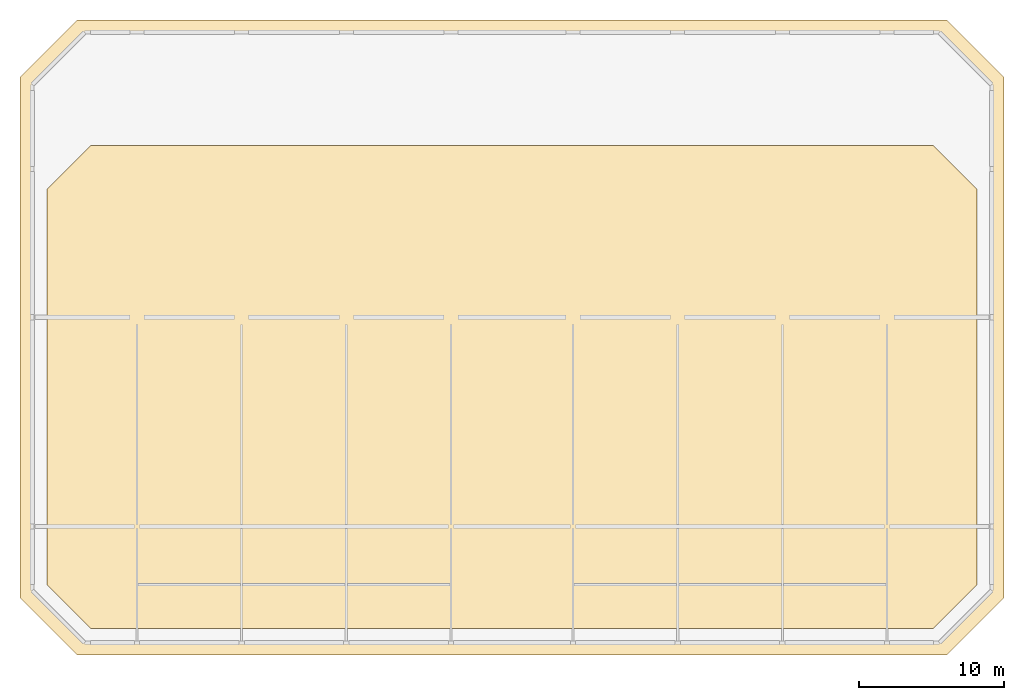
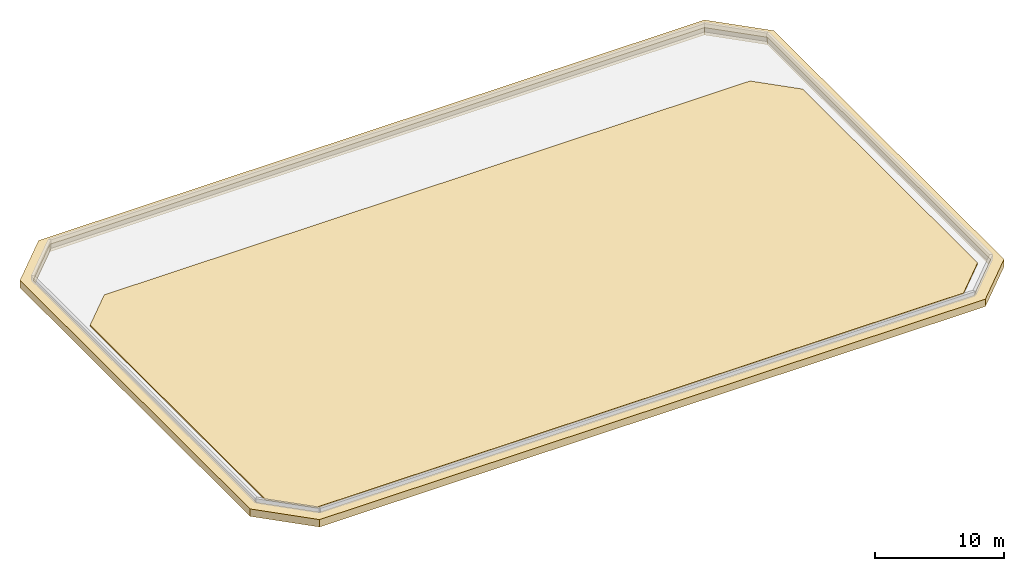
# One storey, part 3 of 3: 2 coverings.
"""IFC4 building model written with IfcOpenShell, lengths in metres."""

import ifcopenshell
import ifcopenshell.guid

model = None  # the IFC model being written
_history = None  # IfcOwnerHistory: only IFC2X3 demands one
_inside = {}  # id of a spatial element -> (the spatial element, [elements in it])
_under = {}  # id of a project, library or spatial element -> (it, [spatial elements below it])
_declared = {}  # id of a project -> (the project, [libraries it declares])
_typed = {}  # id of a type object -> (the type object, [elements of that type])
_made_of = {}  # id of a material, layer set ... -> (it, [elements and type objects made of it])


def new_model(schema):
    """Start an empty IFC model of exactly this schema.

    Asked for "IFC4X3", IfcOpenShell would pick the latest addendum, in which some entities
    have other attributes; the version numbers below select the first issue.
    IFC2X3 requires an IfcOwnerHistory on every rooted entity: one is made here for all.
    """
    global model, _history
    if schema == "IFC4X3":
        model = ifcopenshell.file(schema_version=(4, 3, 0, 0))
    else:
        model = ifcopenshell.file(schema=schema)
    _inside.clear()
    _under.clear()
    _declared.clear()
    _typed.clear()
    _made_of.clear()
    _history = None
    if model.schema == "IFC2X3":
        org = make("IfcOrganization", Name="unknown")
        user = make(
            "IfcPersonAndOrganization",
            ThePerson=make("IfcPerson", FamilyName="unknown"),
            TheOrganization=org,
        )
        app = make(
            "IfcApplication",
            ApplicationDeveloper=org,
            Version="unknown",
            ApplicationFullName="unknown",
            ApplicationIdentifier="unknown",
        )
        _history = make(
            "IfcOwnerHistory",
            OwningUser=user,
            OwningApplication=app,
            ChangeAction="ADDED",
            CreationDate=0,
        )
    return model


def make(cls, **values):
    """One entity of the class cls with the attributes given. An attribute that is None is left unset."""
    return model.create_entity(
        cls, **{name: value for name, value in values.items() if value is not None}
    )


def rooted(cls, **values):
    """An entity with a GlobalId (a new one), such as an element, a storey or a relation."""
    return make(cls, GlobalId=ifcopenshell.guid.new(), OwnerHistory=_history, **values)


def si_unit(unit_type, name, prefix=None):
    """IfcSIUnit, for example si_unit("LENGTHUNIT", "METRE", prefix="MILLI")."""
    return make("IfcSIUnit", UnitType=unit_type, Prefix=prefix, Name=name)


def assignment(units):
    """IfcUnitAssignment: the units of a project."""
    return None if units is None else make("IfcUnitAssignment", Units=units)


def point(xyz):
    """IfcCartesianPoint."""
    return None if xyz is None else make("IfcCartesianPoint", Coordinates=xyz)


def direction(xyz):
    """IfcDirection."""
    return None if xyz is None else make("IfcDirection", DirectionRatios=xyz)


def frame(location, z_axis=None, x_axis=None):
    """IfcAxis2Placement3D, a coordinate frame: its origin and axes. An axis left out is left unset."""
    return make(
        "IfcAxis2Placement3D",
        Location=point(location),
        Axis=direction(z_axis),
        RefDirection=direction(x_axis),
    )


def origin():
    """The frame at (0, 0, 0) with its axes left unset."""
    return frame((0.0, 0.0, 0.0))


def place(relative_to, where):
    """IfcLocalPlacement: puts the frame where relative to a parent placement (None: the world)."""
    return make(
        "IfcLocalPlacement", PlacementRelTo=relative_to, RelativePlacement=where
    )


def context(
    kind, dimensions, precision=None, world=None, true_north=None, identifier=None
):
    """IfcGeometricRepresentationContext, for example the 3D "Model" context."""
    return make(
        "IfcGeometricRepresentationContext",
        ContextIdentifier=identifier,
        ContextType=kind,
        CoordinateSpaceDimension=dimensions,
        Precision=precision,
        WorldCoordinateSystem=world,
        TrueNorth=true_north,
    )


def subcontext(parent, identifier, kind, view, scale=None):
    """IfcGeometricRepresentationSubContext, for example "Body" below "Model"."""
    return make(
        "IfcGeometricRepresentationSubContext",
        ContextIdentifier=identifier,
        ContextType=kind,
        ParentContext=parent,
        TargetScale=scale,
        TargetView=view,
    )


def project(units=None, contexts=None):
    """IfcProject with its units and contexts."""
    return rooted(
        "IfcProject",
        Name="project",
        RepresentationContexts=contexts,
        UnitsInContext=assignment(units),
    )


def spatial(cls, under=None, at=None, **own):
    """A site, building, storey or space (cls), placed at a placement, below another one or the project."""
    s = rooted(cls, ObjectPlacement=at, **own)
    if under is not None:
        _under.setdefault(under.id(), (under, []))[1].append(s)
    return s


def polyline(points):
    """IfcPolyline through the points."""
    return make("IfcPolyline", Points=[point(p) for p in points])


def outline(outer, holes=None, kind="AREA"):
    """IfcArbitraryClosedProfileDef: a profile drawn as a closed curve; with holes, ...WithVoids."""
    if holes is None:
        return make("IfcArbitraryClosedProfileDef", ProfileType=kind, OuterCurve=outer)
    return make(
        "IfcArbitraryProfileDefWithVoids",
        ProfileType=kind,
        OuterCurve=outer,
        InnerCurves=holes,
    )


def extrude(swept, where, along, depth):
    """IfcExtrudedAreaSolid: the profile swept, set in the frame where, extruded along a direction by depth."""
    return make(
        "IfcExtrudedAreaSolid",
        SweptArea=swept,
        Position=where,
        ExtrudedDirection=direction(along),
        Depth=depth,
    )


def shape(context_of_items, identifier, shape_type, items):
    """IfcShapeRepresentation: the items that make up one representation, for example the "Body"."""
    return make(
        "IfcShapeRepresentation",
        ContextOfItems=context_of_items,
        RepresentationIdentifier=identifier,
        RepresentationType=shape_type,
        Items=items,
    )


def material(Name=None, Category=None):
    """IfcMaterial."""
    return make("IfcMaterial", Name=Name, Category=Category)


def layer(
    of_material, thickness, ventilated=None, Name=None, Category=None, Priority=None
):
    """IfcMaterialLayer: one layer of a wall or slab, of a material (None: an air gap)."""
    return make(
        "IfcMaterialLayer",
        Material=of_material,
        LayerThickness=thickness,
        IsVentilated=ventilated,
        Name=Name,
        Category=Category,
        Priority=Priority,
    )


def layer_set(layers, Name=None):
    """IfcMaterialLayerSet."""
    return make("IfcMaterialLayerSet", MaterialLayers=layers, LayerSetName=Name)


def made_of(thing, what):
    """Note that an element or type object is made of a material, layer set ...; save() writes the relation."""
    if what is not None:
        _made_of.setdefault(what.id(), (what, []))[1].append(thing)
    return thing


def type_object(cls, material=None, **own):
    """A type object (cls), such as IfcWallType, which elements share."""
    return made_of(rooted(cls, **own), material)


def element(
    cls,
    number,
    at=None,
    inside=None,
    cuts=None,
    type_object=None,
    material=None,
    context=None,
    identifier="Body",
    shape_type=None,
    held_by="IfcProductDefinitionShape",
    body=None,
    shapes=None,
    **own,
):
    """One element of the class cls, such as IfcWall. Its Tag is "e" and its number.

    at: its placement. inside: the storey or other place that contains it. cuts: it is an
    opening in that element (IfcRelVoidsElement). A single representation is given by context,
    identifier, shape_type and body (its items); several are given by shapes. held_by: the class
    of the entity that holds the representations. save() writes the other relations.
    """
    e = rooted(cls, Tag="e%d" % number, ObjectPlacement=at, **own)
    if body is not None:
        shapes = [shape(context, identifier, shape_type, body)]
    if shapes is not None:
        e.Representation = make(held_by, Representations=shapes)
    if inside is not None:
        _inside.setdefault(inside.id(), (inside, []))[1].append(e)
    if cuts is not None:
        rooted(
            "IfcRelVoidsElement", RelatingBuildingElement=cuts, RelatedOpeningElement=e
        )
    if type_object is not None:
        _typed.setdefault(type_object.id(), (type_object, []))[1].append(e)
    return made_of(e, material)


def aggregate(whole, parts):
    """IfcRelAggregates: a whole, such as a stair, and the parts it consists of."""
    return rooted("IfcRelAggregates", RelatingObject=whole, RelatedObjects=parts)


def save(model, path):
    """Write the relations noted so far, then the file.

    IfcRelAggregates (storeys below a building ...), IfcRelContainedInSpatialStructure (elements
    in a storey), IfcRelDefinesByType, IfcRelAssociatesMaterial and IfcRelDeclares: one each for
    every whole, place, type object, material and project.
    """
    for whole, parts in _under.values():
        aggregate(whole, parts)
    for where, things in _inside.values():
        rooted(
            "IfcRelContainedInSpatialStructure",
            RelatedElements=things,
            RelatingStructure=where,
        )
    for kind, things in _typed.values():
        rooted("IfcRelDefinesByType", RelatedObjects=things, RelatingType=kind)
    for what, things in _made_of.values():
        rooted("IfcRelAssociatesMaterial", RelatedObjects=things, RelatingMaterial=what)
    for by, libraries in _declared.values():
        rooted("IfcRelDeclares", RelatingContext=by, RelatedDefinitions=libraries)
    model.write(path)


model = new_model("IFC4")

# Units and contexts
model_context = context("Model", 3, precision=1e-05, world=origin(), true_north=direction((0.0, 1.0)))
body_context = subcontext(model_context, "Body", "Model", "MODEL_VIEW")
ifc_project = project(units=[si_unit("LENGTHUNIT", "METRE"), si_unit("AREAUNIT", "SQUARE_METRE"), si_unit("VOLUMEUNIT", "CUBIC_METRE"), si_unit("PLANEANGLEUNIT", "RADIAN"), si_unit("MASSUNIT", "GRAM", prefix="KILO")], contexts=[model_context])

# Site, building, storey
site_placement = place(None, origin())
site = spatial("IfcSite", under=ifc_project, at=site_placement, CompositionType="ELEMENT")
building_placement = place(site_placement, origin())
building = spatial("IfcBuilding", under=site, at=building_placement, Name="Kaelvorn Grand Hotel", CompositionType="ELEMENT")
storey_placement = place(building_placement, frame((0.0, 0.0, 318.60009765625)))
storey = spatial("IfcBuildingStorey", under=building, at=storey_placement, Name="L76", CompositionType="ELEMENT", Elevation=318.60009765625)

# Coverings
ifc_material_1 = material(Name="Precast concrete C45/55", Category="concrete")
ifc_layer_1 = layer(ifc_material_1, 0.260009765625)
ifc_layer_set_1 = layer_set([ifc_layer_1], Name="Precast concrete C45/55")
covering_type_1 = type_object("IfcCoveringType", Name="COV-BAND-STREAMLINE-HEAD", PredefinedType="CLADDING", material=ifc_layer_set_1)
covering_1_placement = place(storey_placement, frame((0.0, 0.0, -0.35009765625)))
element("IfcCovering", 1, at=covering_1_placement, inside=storey, type_object=covering_type_1, Name="L76 Streamline Moderne Crown Canopy Fascia Band", PredefinedType="CLADDING", context=body_context, shape_type="SweptSolid", body=[
    extrude(outline(polyline([(12.10009765625, 6.14990234375), (71.89990234375, 6.14990234375), (75.85009765625, 10.10009765625), (75.85009765625, 45.89990234375), (71.89990234375, 49.85009765625), (12.10009765625, 49.85009765625), (8.14990234375, 45.89990234375), (8.14990234375, 10.10009765625), (12.10009765625, 6.14990234375)]), holes=[polyline([(12.6201171875, 7.0400390625), (71.3798828125, 7.0400390625), (74.9599609375, 10.6201171875), (74.9599609375, 45.3798828125), (71.3798828125, 48.9599609375), (12.6201171875, 48.9599609375), (9.0400390625, 45.3798828125), (9.0400390625, 10.6201171875), (12.6201171875, 7.0400390625)])]), origin(), (0.0, 0.0, 1.0), 0.699951171875),
])
ifc_material_2 = material(Name="Insulated Elastomeric Waterproofing Roof Membrane")
ifc_layer_2 = layer(ifc_material_2, 0.1201171875)
ifc_layer_set_2 = layer_set([ifc_layer_2], Name="Insulated Elastomeric Waterproofing Roof Membrane")
covering_type_2 = type_object("IfcCoveringType", Name="COV-ROOF-MEMBRANE-120", PredefinedType="ROOFING", material=ifc_layer_set_2)
covering_2_placement = place(storey_placement, origin())
element("IfcCovering", 2, at=covering_2_placement, inside=storey, type_object=covering_type_2, Name="L76 Crown Parasol Roof Waterproofing Membrane", PredefinedType="ROOFING", context=body_context, shape_type="SweptSolid", body=[
    extrude(outline(polyline([(13.0, 8.0), (71.0, 8.0), (74.0, 11.0), (74.0, 38.199951171875), (71.0, 41.199951171875), (13.0, 41.199951171875), (10.0, 38.199951171875), (10.0, 11.0), (13.0, 8.0)])), origin(), (0.0, 0.0, 1.0), 0.119873046875),
])

save(model, "model.ifc")
